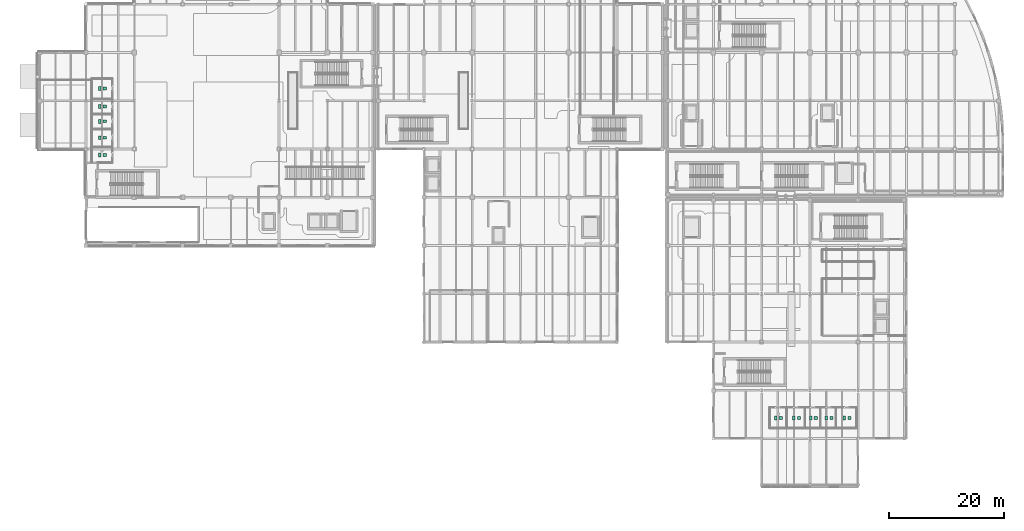
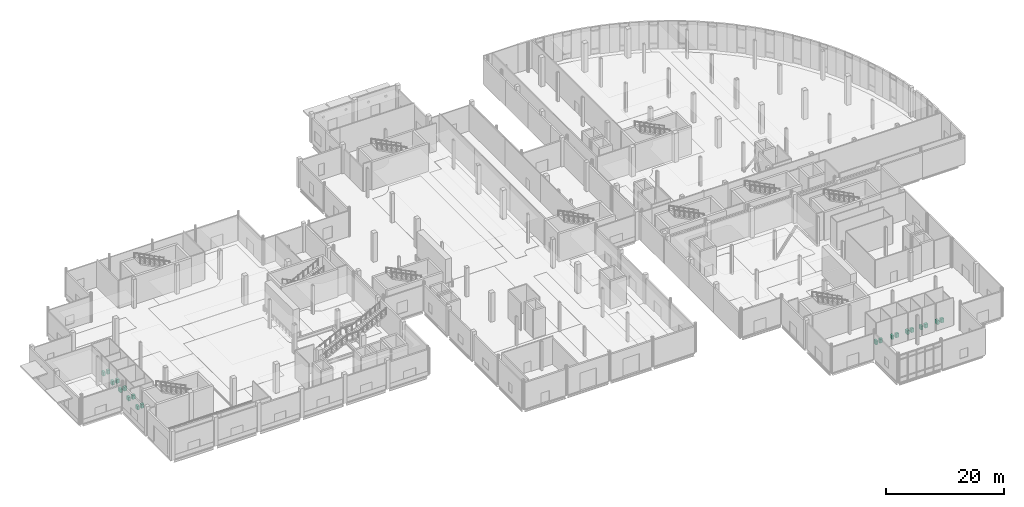
# One storey, part 83 of 85: 20 sanitary terminals.
"""IFC4 building model written with IfcOpenShell, lengths in metres."""

from ifc_helpers import new_model, si_unit, direction, frame, origin, origin_2d, place, context, subcontext, project, spatial, rectangle, extrude, material, type_object, element, save


model = new_model("IFC4")

# Units and contexts
model_context = context("Model", 3, precision=1e-05, world=origin(), true_north=direction((0.0, 1.0)))
body_context = subcontext(model_context, "Body", "Model", "MODEL_VIEW")
ifc_project = project(units=[si_unit("LENGTHUNIT", "METRE"), si_unit("AREAUNIT", "SQUARE_METRE"), si_unit("VOLUMEUNIT", "CUBIC_METRE"), si_unit("PLANEANGLEUNIT", "RADIAN"), si_unit("MASSUNIT", "GRAM", prefix="KILO"), si_unit("THERMODYNAMICTEMPERATUREUNIT", "KELVIN")], contexts=[model_context])

# Site, building, storey
site_placement = place(None, origin())
site = spatial("IfcSite", under=ifc_project, at=site_placement, CompositionType="ELEMENT")
building_placement = place(site_placement, origin())
building = spatial("IfcBuilding", under=site, at=building_placement, Name="Lustrewick Department Store", CompositionType="ELEMENT")
storey_placement = place(building_placement, origin())
storey = spatial("IfcBuildingStorey", under=building, at=storey_placement, Name="L01", CompositionType="ELEMENT", Elevation=0.0)

# Sanitary terminals
ifc_material = material(Name="Glazed white vitreous china sanitaryware", Category="masonry")
sanitary_terminal_type_1 = type_object("IfcSanitaryTerminalType", Name="SAN-WC", PredefinedType="TOILETPAN", material=ifc_material)
for number, where, z_axis, x_axis, name in (
    (1, (10.75, 57.77490234375, 0.0), (0.0, 0.0, 1.0), (1.0, 0.0, 0.0), "L01 Male Public WC WC Pan"),
    (2, (10.75, 60.77001953125, 0.0), (0.0, 0.0, 1.0), (1.0, 0.0, 0.0), "L01 Female Public WC WC Pan"),
    (3, (10.75, 63.6201171875, 0.0), (0.0, 0.0, 1.0), (1.0, 0.0, 0.0), "L01 Accessible WC WC Pan"),
    (4, (10.75, 66.219970703125, 0.0), (0.0, 0.0, 1.0), (1.0, 0.0, 0.0), "L01 Staff WC WC Pan"),
    (5, (10.75, 69.320068359375, 0.0), (0.0, 0.0, 1.0), (1.0, 0.0, 0.0), "L01 Nursery Room WC Pan"),
    (6, (128.419921875, 12.0, 0.0), (0.0, 0.0, 1.0), (1.0, 0.0, 0.0), "L01 Male Public WC WC Pan"),
    (7, (131.570068359375, 12.0, 0.0), (0.0, 0.0, 1.0), (1.0, 0.0, 0.0), "L01 Female Public WC WC Pan"),
    (8, (134.52001953125, 12.0, 0.0), (0.0, 0.0, 1.0), (1.0, 0.0, 0.0), "L01 Accessible WC WC Pan"),
    (9, (137.219970703125, 12.0, 0.0), (0.0, 0.0, 1.0), (1.0, 0.0, 0.0), "L01 Staff WC WC Pan"),
    (10, (140.3701171875, 12.0, 0.0), (0.0, 0.0, 1.0), (1.0, 0.0, 0.0), "L01 Nursery Room WC Pan"),
):
    element("IfcSanitaryTerminal", number, at=place(storey_placement, frame(where, z_axis=z_axis, x_axis=x_axis)), inside=storey, type_object=sanitary_terminal_type_1, Name=name, PredefinedType="TOILETPAN", context=body_context, shape_type="SweptSolid", body=[
        extrude(rectangle(XDim=0.419921875, YDim=0.679931640625, at=origin_2d()), origin(), (0.0, 0.0, 1.0), 0.780029296875),
    ])
sanitary_terminal_type_2 = type_object("IfcSanitaryTerminalType", Name="SAN-WHB", PredefinedType="WASHHANDBASIN", material=ifc_material)
for number, where, z_axis, x_axis, name in (
    (11, (11.64990234375, 57.77490234375, 0.0), (0.0, 0.0, 1.0), (1.0, 0.0, 0.0), "L01 Male Public WC Washbasin"),
    (12, (11.64990234375, 60.77001953125, 0.0), (0.0, 0.0, 1.0), (1.0, 0.0, 0.0), "L01 Female Public WC Washbasin"),
    (13, (11.64990234375, 63.6201171875, 0.0), (0.0, 0.0, 1.0), (1.0, 0.0, 0.0), "L01 Accessible WC Washbasin"),
    (14, (11.64990234375, 66.219970703125, 0.0), (0.0, 0.0, 1.0), (1.0, 0.0, 0.0), "L01 Staff WC Washbasin"),
    (15, (11.64990234375, 69.320068359375, 0.0), (0.0, 0.0, 1.0), (1.0, 0.0, 0.0), "L01 Nursery Room Washbasin"),
    (16, (129.320068359375, 12.0, 0.0), (0.0, 0.0, 1.0), (1.0, 0.0, 0.0), "L01 Male Public WC Washbasin"),
    (17, (132.469970703125, 12.0, 0.0), (0.0, 0.0, 1.0), (1.0, 0.0, 0.0), "L01 Female Public WC Washbasin"),
    (18, (135.419921875, 12.0, 0.0), (0.0, 0.0, 1.0), (1.0, 0.0, 0.0), "L01 Accessible WC Washbasin"),
    (19, (138.1201171875, 12.0, 0.0), (0.0, 0.0, 1.0), (1.0, 0.0, 0.0), "L01 Staff WC Washbasin"),
    (20, (141.27001953125, 12.0, 0.0), (0.0, 0.0, 1.0), (1.0, 0.0, 0.0), "L01 Nursery Room Washbasin"),
):
    element("IfcSanitaryTerminal", number, at=place(storey_placement, frame(where, z_axis=z_axis, x_axis=x_axis)), inside=storey, type_object=sanitary_terminal_type_2, Name=name, PredefinedType="WASHHANDBASIN", context=body_context, shape_type="SweptSolid", body=[
        extrude(rectangle(XDim=0.550048828125, YDim=0.47998046875, at=origin_2d()), origin(), (0.0, 0.0, 1.0), 0.820068359375),
    ])

save(model, "model.ifc")
